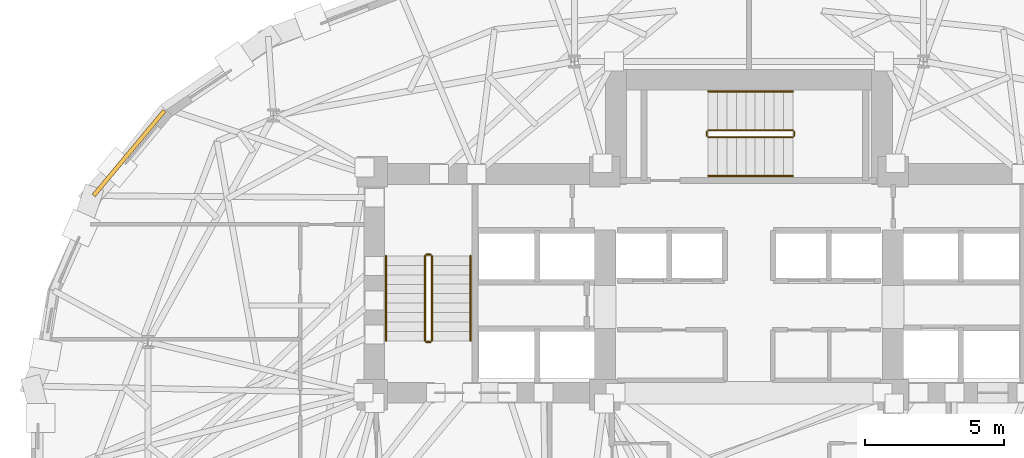
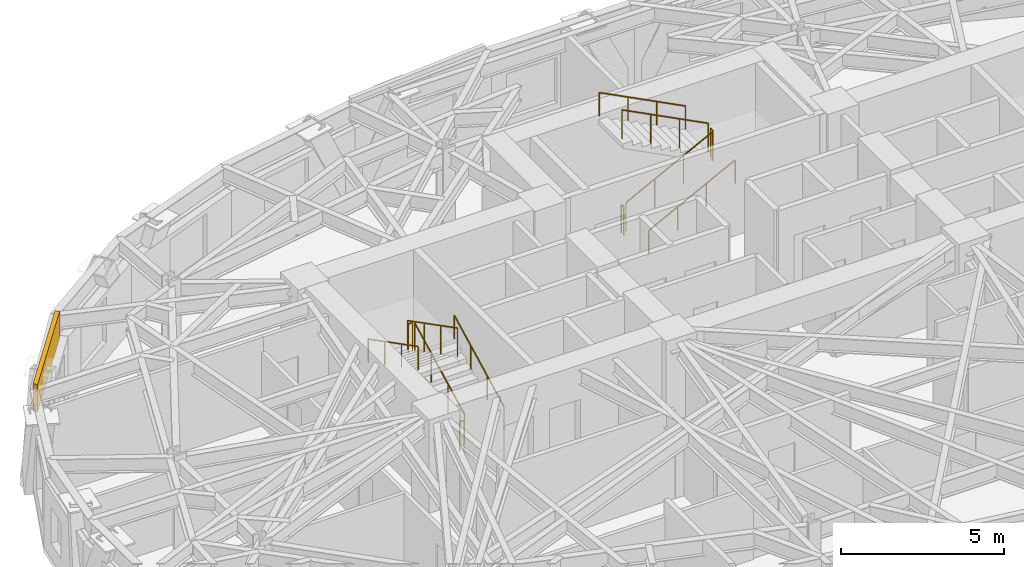
# One storey, part 12 of 14: 12 railings, 1 covering.
"""IFC4 building model written with IfcOpenShell, lengths in metres."""

from ifc_helpers import new_model, si_unit, direction, frame, origin, origin_2d, place, context, subcontext, project, spatial, rectangle, circle, extrude, material, layer, layer_set, type_object, element, save


model = new_model("IFC4")

# Units and contexts
model_context = context("Model", 3, precision=1e-05, world=origin(), true_north=direction((0.0, 1.0)))
body_context = subcontext(model_context, "Body", "Model", "MODEL_VIEW")
ifc_project = project(units=[si_unit("LENGTHUNIT", "METRE"), si_unit("AREAUNIT", "SQUARE_METRE"), si_unit("VOLUMEUNIT", "CUBIC_METRE"), si_unit("PLANEANGLEUNIT", "RADIAN"), si_unit("MASSUNIT", "GRAM", prefix="KILO")], contexts=[model_context])

# Site, building, storey
site_placement = place(None, origin())
site = spatial("IfcSite", under=ifc_project, at=site_placement, CompositionType="ELEMENT")
building_placement = place(site_placement, origin())
building = spatial("IfcBuilding", under=site, at=building_placement, Name="Keldmark Tower", CompositionType="ELEMENT")
storey_placement = place(building_placement, frame((0.0, 0.0, 124.60009765625)))
storey = spatial("IfcBuildingStorey", under=building, at=storey_placement, Name="L33", CompositionType="ELEMENT", Elevation=124.60009765625)

# Covering
ifc_material_1 = material(Name="Honed Kasota Buff Dolomitic Limestone", Category="masonry")
ifc_layer = layer(ifc_material_1, 0.074951171875)
ifc_layer_set = layer_set([ifc_layer], Name="Honed Kasota Buff Dolomitic Limestone")
covering_type = type_object("IfcCoveringType", Name="Kasota Buff Limestone Spandrel Cladding Band", PredefinedType="CLADDING", material=ifc_layer_set)
covering_placement = place(storey_placement, frame((-22.382080078125, 10.12353515625, 2.45166015625), z_axis=(0.0, 0.0, 1.0), x_axis=(-0.640123108465, -0.768272351455, 0.0)))
element("IfcCovering", 1, at=covering_placement, inside=storey, type_object=covering_type, Name="L33 Kasota Limestone Spandrel Band 13", PredefinedType="CLADDING", context=body_context, shape_type="SweptSolid", body=[
    extrude(rectangle(XDim=3.983154296875, YDim=0.14990234375, at=origin_2d()), origin(), (0.0, 0.0, 1.0), 1.028076171875),
])

# Railings
ifc_material_2 = material(Name="Painted Steel ASTM A500 Grade B", Category="steel")
railing_type_1 = type_object("IfcRailingType", Name="Painted Steel Stair Well Guard 1100 mm", PredefinedType="GUARDRAIL", material=ifc_material_2)
railing_1_placement = place(storey_placement, frame((-11.449951171875, 3.35009765625, 0.1748046875)))
element("IfcRailing", 2, at=railing_1_placement, inside=storey, type_object=railing_type_1, Name="L33 ST1 stair guard 1", PredefinedType="GUARDRAIL", context=body_context, shape_type="SweptSolid", body=[
    extrude(circle(Radius=0.02392578125, at=origin_2d()), frame((0.0, 0.0, 1.076171875), z_axis=(0.0, 0.889101422983, 0.457710235465), x_axis=(-1.0, 0.0, 0.0)), (0.0, 0.0, 1.0), 3.44140625),
    extrude(circle(Radius=0.02099609375, at=origin_2d()), origin(), (0.0, 0.0, 1.0), 1.052001953125),
    extrude(circle(Radius=0.02099609375, at=origin_2d()), frame((0.0, 1.02001953125, 0.525146484375)), (0.0, 0.0, 1.0), 1.052001953125),
    extrude(circle(Radius=0.02099609375, at=origin_2d()), frame((0.0, 2.039794921875, 1.050048828125)), (0.0, 0.0, 1.0), 1.052001953125),
    extrude(circle(Radius=0.02099609375, at=origin_2d()), frame((0.0, 3.059814453125, 1.5751953125)), (0.0, 0.0, 1.0), 1.052001953125),
])
railing_2_placement = place(storey_placement, frame((-11.5, 6.4599609375, 1.75)))
element("IfcRailing", 3, at=railing_2_placement, inside=storey, type_object=railing_type_1, Name="L33 ST1 stair guard 2", PredefinedType="GUARDRAIL", context=body_context, shape_type="SweptSolid", body=[
    extrude(circle(Radius=0.02392578125, at=origin_2d()), frame((0.0, 0.0, 1.076171875), z_axis=(-1.0, 0.0, 0.0), x_axis=(0.0, -1.0, 0.0)), (0.0, 0.0, 1.0), 0.14990234375),
    extrude(circle(Radius=0.02099609375, at=origin_2d()), origin(), (0.0, 0.0, 1.0), 1.052001953125),
    extrude(circle(Radius=0.02099609375, at=origin_2d()), frame((-0.14990234375, 0.0, 0.0)), (0.0, 0.0, 1.0), 1.052001953125),
])
railing_3_placement = place(storey_placement, frame((-11.699951171875, 6.409912109375, 1.9248046875)))
element("IfcRailing", 4, at=railing_3_placement, inside=storey, type_object=railing_type_1, Name="L33 ST1 stair guard 3", PredefinedType="GUARDRAIL", context=body_context, shape_type="SweptSolid", body=[
    extrude(circle(Radius=0.02392578125, at=origin_2d()), frame((0.0, 0.0, 1.076171875), z_axis=(0.0, -0.889101422983, 0.457710235465), x_axis=(1.0, 0.0, 0.0)), (0.0, 0.0, 1.0), 3.44140625),
    extrude(circle(Radius=0.02099609375, at=origin_2d()), origin(), (0.0, 0.0, 1.0), 1.052001953125),
    extrude(circle(Radius=0.02099609375, at=origin_2d()), frame((0.0, -1.02001953125, 0.525146484375)), (0.0, 0.0, 1.0), 1.052001953125),
    extrude(circle(Radius=0.02099609375, at=origin_2d()), frame((0.0, -2.039794921875, 1.050048828125)), (0.0, 0.0, 1.0), 1.052001953125),
    extrude(circle(Radius=0.02099609375, at=origin_2d()), frame((0.0, -3.059814453125, 1.5751953125)), (0.0, 0.0, 1.0), 1.052001953125),
])
railing_4_placement = place(storey_placement, frame((-11.5, 3.300048828125, 0.0)))
element("IfcRailing", 5, at=railing_4_placement, inside=storey, type_object=railing_type_1, Name="L33 ST1 stair guard 4", PredefinedType="GUARDRAIL", context=body_context, shape_type="SweptSolid", body=[
    extrude(circle(Radius=0.02392578125, at=origin_2d()), frame((0.0, 0.0, 1.076171875), z_axis=(-1.0, 0.0, 0.0), x_axis=(0.0, -1.0, 0.0)), (0.0, 0.0, 1.0), 0.14990234375),
    extrude(circle(Radius=0.02099609375, at=origin_2d()), origin(), (0.0, 0.0, 1.0), 1.052001953125),
    extrude(circle(Radius=0.02099609375, at=origin_2d()), frame((-0.14990234375, 0.0, 0.0)), (0.0, 0.0, 1.0), 1.052001953125),
])
railing_5_placement = place(storey_placement, frame((-1.47509765625, 10.699951171875, 0.1748046875)))
element("IfcRailing", 6, at=railing_5_placement, inside=storey, type_object=railing_type_1, Name="L33 ST3 stair guard 1", PredefinedType="GUARDRAIL", context=body_context, shape_type="SweptSolid", body=[
    extrude(circle(Radius=0.02392578125, at=origin_2d()), frame((0.0, 0.0, 1.076171875), z_axis=(0.889116283586, 0.0, 0.457681367616), x_axis=(0.0, 1.0, 0.0)), (0.0, 0.0, 1.0), 3.441650390625),
    extrude(circle(Radius=0.02099609375, at=origin_2d()), origin(), (0.0, 0.0, 1.0), 1.052001953125),
    extrude(circle(Radius=0.02099609375, at=origin_2d()), frame((1.02001953125, 0.0, 0.525146484375)), (0.0, 0.0, 1.0), 1.052001953125),
    extrude(circle(Radius=0.02099609375, at=origin_2d()), frame((2.0400390625, 0.0, 1.050048828125)), (0.0, 0.0, 1.0), 1.052001953125),
    extrude(circle(Radius=0.02099609375, at=origin_2d()), frame((3.06005859375, 0.0, 1.5751953125)), (0.0, 0.0, 1.0), 1.052001953125),
])
railing_6_placement = place(storey_placement, frame((1.635009765625, 10.75, 1.75)))
element("IfcRailing", 7, at=railing_6_placement, inside=storey, type_object=railing_type_1, Name="L33 ST3 stair guard 2", PredefinedType="GUARDRAIL", context=body_context, shape_type="SweptSolid", body=[
    extrude(circle(Radius=0.02392578125, at=origin_2d()), frame((0.0, 0.0, 1.076171875), z_axis=(0.0, 1.0, 0.0), x_axis=(-1.0, 0.0, 0.0)), (0.0, 0.0, 1.0), 0.14990234375),
    extrude(circle(Radius=0.02099609375, at=origin_2d()), origin(), (0.0, 0.0, 1.0), 1.052001953125),
    extrude(circle(Radius=0.02099609375, at=origin_2d()), frame((0.0, 0.14990234375, 0.0)), (0.0, 0.0, 1.0), 1.052001953125),
])
railing_7_placement = place(storey_placement, frame((1.5849609375, 10.949951171875, 1.9248046875)))
element("IfcRailing", 8, at=railing_7_placement, inside=storey, type_object=railing_type_1, Name="L33 ST3 stair guard 3", PredefinedType="GUARDRAIL", context=body_context, shape_type="SweptSolid", body=[
    extrude(circle(Radius=0.02392578125, at=origin_2d()), frame((0.0, 0.0, 1.076171875), z_axis=(-0.889116283586, 0.0, 0.457681367616), x_axis=(0.0, -1.0, 0.0)), (0.0, 0.0, 1.0), 3.441650390625),
    extrude(circle(Radius=0.02099609375, at=origin_2d()), origin(), (0.0, 0.0, 1.0), 1.052001953125),
    extrude(circle(Radius=0.02099609375, at=origin_2d()), frame((-1.02001953125, 0.0, 0.525146484375)), (0.0, 0.0, 1.0), 1.052001953125),
    extrude(circle(Radius=0.02099609375, at=origin_2d()), frame((-2.0400390625, 0.0, 1.050048828125)), (0.0, 0.0, 1.0), 1.052001953125),
    extrude(circle(Radius=0.02099609375, at=origin_2d()), frame((-3.06005859375, 0.0, 1.5751953125)), (0.0, 0.0, 1.0), 1.052001953125),
])
railing_8_placement = place(storey_placement, frame((-1.52490234375, 10.75, 0.0)))
element("IfcRailing", 9, at=railing_8_placement, inside=storey, type_object=railing_type_1, Name="L33 ST3 stair guard 4", PredefinedType="GUARDRAIL", context=body_context, shape_type="SweptSolid", body=[
    extrude(circle(Radius=0.02392578125, at=origin_2d()), frame((0.0, 0.0, 1.076171875), z_axis=(0.0, 1.0, 0.0), x_axis=(-1.0, 0.0, 0.0)), (0.0, 0.0, 1.0), 0.14990234375),
    extrude(circle(Radius=0.02099609375, at=origin_2d()), origin(), (0.0, 0.0, 1.0), 1.052001953125),
    extrude(circle(Radius=0.02099609375, at=origin_2d()), frame((0.0, 0.14990234375, 0.0)), (0.0, 0.0, 1.0), 1.052001953125),
])
ifc_material_3 = material(Name="Stainless Steel AISI 316L", Category="steel")
railing_type_2 = type_object("IfcRailingType", Name="Stainless Steel Stair Handrail 900 mm", PredefinedType="HANDRAIL", material=ifc_material_3)
railing_9_placement = place(storey_placement, frame((-10.050048828125, 3.35009765625, 0.1748046875)))
element("IfcRailing", 10, at=railing_9_placement, inside=storey, type_object=railing_type_2, Name="L33 ST1 stair handrail 1", PredefinedType="HANDRAIL", context=body_context, shape_type="SweptSolid", body=[
    extrude(circle(Radius=0.02392578125, at=origin_2d()), frame((0.0, 0.0, 0.8759765625), z_axis=(0.0, 0.889101422983, 0.457710235465), x_axis=(-1.0, 0.0, 0.0)), (0.0, 0.0, 1.0), 3.44140625),
    extrude(circle(Radius=0.02099609375, at=origin_2d()), origin(), (0.0, 0.0, 1.0), 0.851806640625),
    extrude(circle(Radius=0.02099609375, at=origin_2d()), frame((0.0, 1.02001953125, 0.525146484375)), (0.0, 0.0, 1.0), 0.851806640625),
    extrude(circle(Radius=0.02099609375, at=origin_2d()), frame((0.0, 2.039794921875, 1.050048828125)), (0.0, 0.0, 1.0), 0.851806640625),
    extrude(circle(Radius=0.02099609375, at=origin_2d()), frame((0.0, 3.059814453125, 1.5751953125)), (0.0, 0.0, 1.0), 0.851806640625),
])
railing_10_placement = place(storey_placement, frame((-13.10009765625, 6.409912109375, 1.9248046875)))
element("IfcRailing", 11, at=railing_10_placement, inside=storey, type_object=railing_type_2, Name="L33 ST1 stair handrail 2", PredefinedType="HANDRAIL", context=body_context, shape_type="SweptSolid", body=[
    extrude(circle(Radius=0.02392578125, at=origin_2d()), frame((0.0, 0.0, 0.8759765625), z_axis=(0.0, -0.889101422983, 0.457710235465), x_axis=(1.0, 0.0, 0.0)), (0.0, 0.0, 1.0), 3.44140625),
    extrude(circle(Radius=0.02099609375, at=origin_2d()), origin(), (0.0, 0.0, 1.0), 0.851806640625),
    extrude(circle(Radius=0.02099609375, at=origin_2d()), frame((0.0, -1.02001953125, 0.525146484375)), (0.0, 0.0, 1.0), 0.851806640625),
    extrude(circle(Radius=0.02099609375, at=origin_2d()), frame((0.0, -2.039794921875, 1.050048828125)), (0.0, 0.0, 1.0), 0.851806640625),
    extrude(circle(Radius=0.02099609375, at=origin_2d()), frame((0.0, -3.059814453125, 1.5751953125)), (0.0, 0.0, 1.0), 0.851806640625),
])
railing_11_placement = place(storey_placement, frame((-1.47509765625, 9.300048828125, 0.1748046875)))
element("IfcRailing", 12, at=railing_11_placement, inside=storey, type_object=railing_type_2, Name="L33 ST3 stair handrail 1", PredefinedType="HANDRAIL", context=body_context, shape_type="SweptSolid", body=[
    extrude(circle(Radius=0.02392578125, at=origin_2d()), frame((0.0, 0.0, 0.8759765625), z_axis=(0.889116283586, 0.0, 0.457681367616), x_axis=(0.0, 1.0, 0.0)), (0.0, 0.0, 1.0), 3.441650390625),
    extrude(circle(Radius=0.02099609375, at=origin_2d()), origin(), (0.0, 0.0, 1.0), 0.851806640625),
    extrude(circle(Radius=0.02099609375, at=origin_2d()), frame((1.02001953125, 0.0, 0.525146484375)), (0.0, 0.0, 1.0), 0.851806640625),
    extrude(circle(Radius=0.02099609375, at=origin_2d()), frame((2.0400390625, 0.0, 1.050048828125)), (0.0, 0.0, 1.0), 0.851806640625),
    extrude(circle(Radius=0.02099609375, at=origin_2d()), frame((3.06005859375, 0.0, 1.5751953125)), (0.0, 0.0, 1.0), 0.851806640625),
])
railing_12_placement = place(storey_placement, frame((1.5849609375, 12.35009765625, 1.9248046875)))
element("IfcRailing", 13, at=railing_12_placement, inside=storey, type_object=railing_type_2, Name="L33 ST3 stair handrail 2", PredefinedType="HANDRAIL", context=body_context, shape_type="SweptSolid", body=[
    extrude(circle(Radius=0.02392578125, at=origin_2d()), frame((0.0, 0.0, 0.8759765625), z_axis=(-0.889116283586, 0.0, 0.457681367616), x_axis=(0.0, -1.0, 0.0)), (0.0, 0.0, 1.0), 3.441650390625),
    extrude(circle(Radius=0.02099609375, at=origin_2d()), origin(), (0.0, 0.0, 1.0), 0.851806640625),
    extrude(circle(Radius=0.02099609375, at=origin_2d()), frame((-1.02001953125, 0.0, 0.525146484375)), (0.0, 0.0, 1.0), 0.851806640625),
    extrude(circle(Radius=0.02099609375, at=origin_2d()), frame((-2.0400390625, 0.0, 1.050048828125)), (0.0, 0.0, 1.0), 0.851806640625),
    extrude(circle(Radius=0.02099609375, at=origin_2d()), frame((-3.06005859375, 0.0, 1.5751953125)), (0.0, 0.0, 1.0), 0.851806640625),
])

save(model, "model.ifc")
